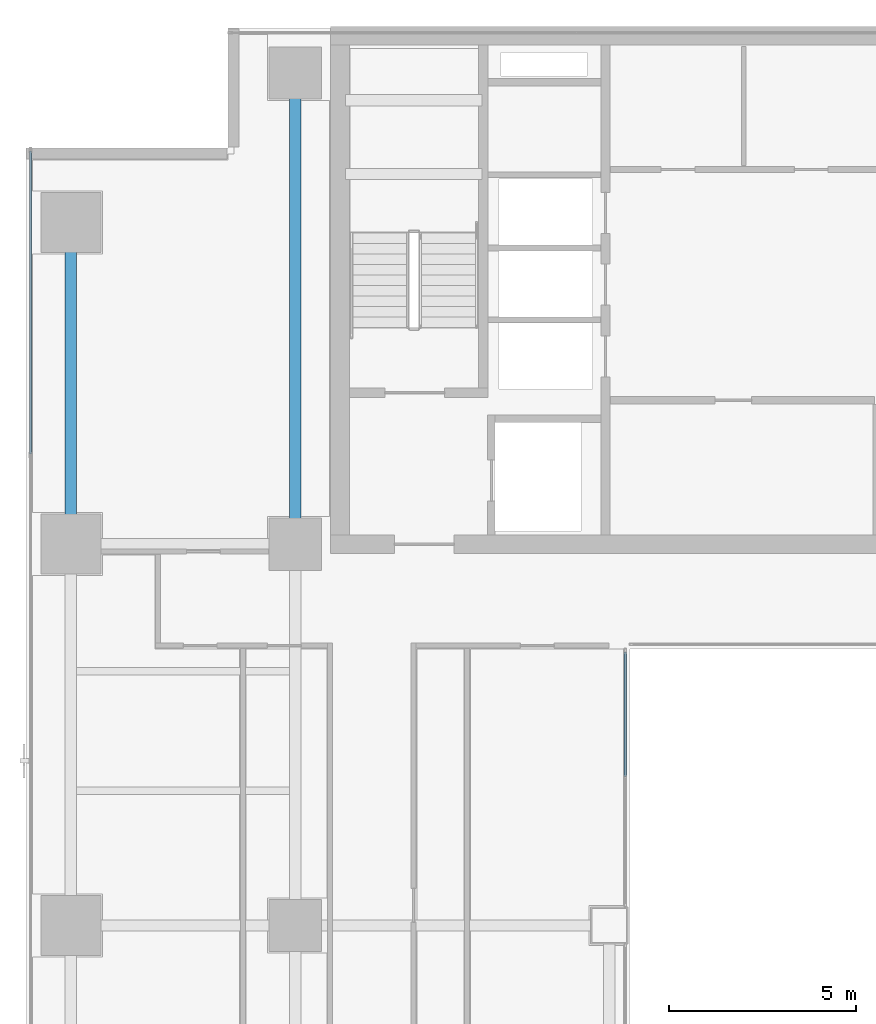
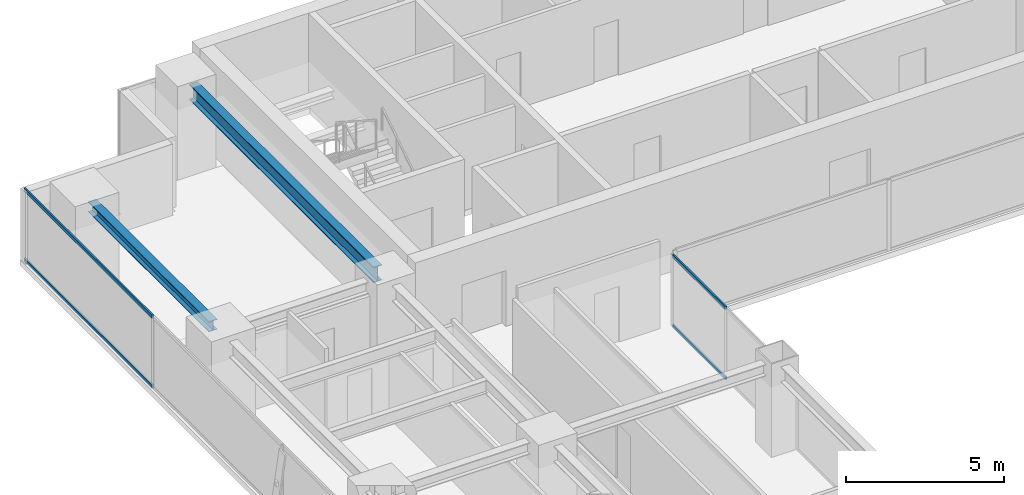
# One storey, part 9 of 29: 4 members, 2 beams, 2 elements without a shape of their own.
"""IFC4 building model written with IfcOpenShell, lengths in metres."""

from ifc_helpers import new_model, si_unit, direction, frame, origin, origin_2d, place, context, subcontext, project, spatial, hollow_rectangle, i_section, extrude, source, transform, mapped, material, layer, layer_set, material_profile, profile_set, type_object, element, aggregate, save


model = new_model("IFC4")

# Units and contexts
model_context = context("Model", 3, precision=1e-05, world=origin(), true_north=direction((0.0, 1.0)))
body_context = subcontext(model_context, "Body", "Model", "MODEL_VIEW")
ifc_project = project(units=[si_unit("LENGTHUNIT", "METRE"), si_unit("AREAUNIT", "SQUARE_METRE"), si_unit("VOLUMEUNIT", "CUBIC_METRE"), si_unit("PLANEANGLEUNIT", "RADIAN"), si_unit("MASSUNIT", "GRAM", prefix="KILO")], contexts=[model_context])

# Site, building, storey
site_placement = place(None, origin())
site = spatial("IfcSite", under=ifc_project, at=site_placement, CompositionType="ELEMENT")
building_placement = place(site_placement, origin())
building = spatial("IfcBuilding", under=site, at=building_placement, Name="Sumidabori Civic Tower", CompositionType="ELEMENT")
storey_placement = place(building_placement, frame((0.0, 0.0, 203.60009765625)))
storey = spatial("IfcBuildingStorey", under=building, at=storey_placement, Name="L52", CompositionType="ELEMENT", Elevation=203.60009765625)

# Beams
ifc_material_1 = material(Name="Steel SN490", Category="steel")
ifc_material_profile_1 = material_profile(ifc_material_1, i_section(OverallWidth=0.300048828125, OverallDepth=0.39990234375, WebThickness=0.013427734375, FlangeThickness=0.02392578125, at=origin_2d()), Name="HE 400 B")
ifc_profile_set_1 = profile_set([ifc_material_profile_1], Name="Steel SN490")
beam_type_1 = type_object("IfcBeamType", Name="BM-GIRD-400", PredefinedType="BEAM", material=ifc_profile_set_1)
shared_shape_1 = source(origin(), body_context, "Body", "SweptSolid", [
    extrude(i_section(OverallWidth=0.300048828125, OverallDepth=0.39990234375, WebThickness=0.013427734375, FlangeThickness=0.02392578125, at=origin_2d()), origin(), (0.0, 0.0, 1.0), 7.64013671875),
])
beam_1_placement = place(storey_placement, frame((-22.800048828125, 10.679931640625, 3.179931640625), z_axis=(0.0, 1.0, 0.0), x_axis=(-1.0, 0.0, 0.0)))
element("IfcBeam", 1, at=beam_1_placement, inside=storey, type_object=beam_type_1, Name="Primary Girder L52 GY-13", PredefinedType="BEAM", context=body_context, shape_type="MappedRepresentation", body=[
    mapped(shared_shape_1, transform((0.0, 0.0, 0.0), x_axis=(1.0, 0.0, 0.0), y_axis=(0.0, 1.0, 0.0), z_axis=(0.0, 0.0, 1.0), scale=1.0)),
])
ifc_material_profile_2 = material_profile(ifc_material_1, i_section(OverallWidth=0.300048828125, OverallDepth=0.60009765625, WebThickness=0.015380859375, FlangeThickness=0.030029296875, at=origin_2d()), Name="HE 600 B")
ifc_profile_set_2 = profile_set([ifc_material_profile_2], Name="Steel SN490")
beam_type_2 = type_object("IfcBeamType", Name="BM-GIRD-600", PredefinedType="BEAM", material=ifc_profile_set_2)
shared_shape_2 = source(origin(), body_context, "Body", "SweptSolid", [
    extrude(i_section(OverallWidth=0.300048828125, OverallDepth=0.60009765625, WebThickness=0.015380859375, FlangeThickness=0.030029296875, at=origin_2d()), origin(), (0.0, 0.0, 1.0), 11.64013671875),
])
beam_2_placement = place(storey_placement, frame((-16.800048828125, 10.679931640625, 3.079833984375), z_axis=(0.0, 1.0, 0.0), x_axis=(-1.0, 0.0, 0.0)))
element("IfcBeam", 2, at=beam_2_placement, inside=storey, type_object=beam_type_2, Name="Primary Girder L52 GY-16", PredefinedType="BEAM", context=body_context, shape_type="MappedRepresentation", body=[
    mapped(shared_shape_2, transform((0.0, 0.0, 0.0), x_axis=(1.0, 0.0, 0.0), y_axis=(0.0, 1.0, 0.0), z_axis=(0.0, 0.0, 1.0), scale=1.0)),
])

# Curtain wall, members
ifc_material_2 = material(Name="Anodised Bronze Aluminium AW-6063-T6", Category="aluminium")
ifc_layer_1 = layer(ifc_material_2, 0.179931640625, Name="Anodised Bronze Aluminium AW-6063-T6")
ifc_layer_set_1 = layer_set([ifc_layer_1], Name="Anodised Bronze Aluminium AW-6063-T6")
curtain_wall_type_1 = type_object("IfcCurtainWallType", Name="CW-SYS-4", PredefinedType="NOTDEFINED", material=ifc_layer_set_1)
curtain_wall_1_placement = place(storey_placement, origin())
curtain_wall_1 = element("IfcCurtainWall", 3, at=curtain_wall_1_placement, inside=storey, type_object=curtain_wall_type_1, Name="Curtain Wall CW:L52:R04", PredefinedType="NOTDEFINED")
ifc_material_profile_3 = material_profile(ifc_material_2, hollow_rectangle(XDim=0.06005859375, YDim=0.1298828125, WallThickness=0.0048828125, at=origin_2d()), Name="ALU TRANSOM 130x60")
ifc_profile_set_3 = profile_set([ifc_material_profile_3], Name="Anodised Bronze Aluminium AW-6063-T6")
member_type = type_object("IfcMemberType", Name="CW-TRN-130", PredefinedType="USERDEFINED", material=ifc_profile_set_3)
shared_shape_3 = source(origin(), body_context, "Body", "SweptSolid", [
    extrude(hollow_rectangle(XDim=0.06005859375, YDim=0.1298828125, WallThickness=0.0048828125, at=origin_2d()), origin(), (0.0, 0.0, 1.0), 3.330078125),
])
member_1_placement = place(storey_placement, frame((-7.969970703125, 3.97998046875, 0.02978515625), z_axis=(0.0, 1.0, 0.0), x_axis=(-1.0, 0.0, 0.0)))
member_1 = element("IfcMember", 4, at=member_1_placement, type_object=member_type, Name="CW-4 transom 2.1", ObjectType="TRANSOM", PredefinedType="USERDEFINED", context=body_context, shape_type="MappedRepresentation", body=[
    mapped(shared_shape_3, transform((0.0, 0.0, 0.0), x_axis=(1.0, 0.0, 0.0), y_axis=(0.0, 1.0, 0.0), z_axis=(0.0, 0.0, 1.0), scale=1.0)),
])
member_2_placement = place(storey_placement, frame((-7.969970703125, 3.97998046875, 2.72998046875), z_axis=(0.0, 1.0, 0.0), x_axis=(-1.0, 0.0, 0.0)))
member_2 = element("IfcMember", 5, at=member_2_placement, type_object=member_type, Name="CW-4 transom 2.2", ObjectType="TRANSOM", PredefinedType="USERDEFINED", context=body_context, shape_type="MappedRepresentation", body=[
    mapped(shared_shape_3, transform((0.0, 0.0, 0.0), x_axis=(1.0, 0.0, 0.0), y_axis=(0.0, 1.0, 0.0), z_axis=(0.0, 0.0, 1.0), scale=1.0)),
])
aggregate(curtain_wall_1, [member_1, member_2])

ifc_layer_2 = layer(ifc_material_2, 0.179931640625, Name="Anodised Bronze Aluminium AW-6063-T6")
ifc_layer_set_2 = layer_set([ifc_layer_2], Name="Anodised Bronze Aluminium AW-6063-T6")
curtain_wall_type_2 = type_object("IfcCurtainWallType", Name="CW-SYS-5", PredefinedType="NOTDEFINED", material=ifc_layer_set_2)
curtain_wall_2_placement = place(storey_placement, origin())
curtain_wall_2 = element("IfcCurtainWall", 6, at=curtain_wall_2_placement, inside=storey, type_object=curtain_wall_type_2, Name="Curtain Wall CW:L52:R16", PredefinedType="NOTDEFINED")
shared_shape_4 = source(origin(), body_context, "Body", "SweptSolid", [
    extrude(hollow_rectangle(XDim=0.06005859375, YDim=0.1298828125, WallThickness=0.0048828125, at=origin_2d()), origin(), (0.0, 0.0, 1.0), 8.094970703125),
])
member_3_placement = place(storey_placement, frame((-23.8798828125, 20.7099609375, 0.02978515625), z_axis=(0.0, -1.0, 0.0), x_axis=(1.0, 0.0, 0.0)))
member_3 = element("IfcMember", 7, at=member_3_placement, type_object=member_type, Name="CW-5 transom 1.1", ObjectType="TRANSOM", PredefinedType="USERDEFINED", context=body_context, shape_type="MappedRepresentation", body=[
    mapped(shared_shape_4, transform((0.0, 0.0, 0.0), x_axis=(1.0, 0.0, 0.0), y_axis=(0.0, 1.0, 0.0), z_axis=(0.0, 0.0, 1.0), scale=1.0)),
])
member_4_placement = place(storey_placement, frame((-23.8798828125, 20.7099609375, 2.72998046875), z_axis=(0.0, -1.0, 0.0), x_axis=(1.0, 0.0, 0.0)))
member_4 = element("IfcMember", 8, at=member_4_placement, type_object=member_type, Name="CW-5 transom 1.2", ObjectType="TRANSOM", PredefinedType="USERDEFINED", context=body_context, shape_type="MappedRepresentation", body=[
    mapped(shared_shape_4, transform((0.0, 0.0, 0.0), x_axis=(1.0, 0.0, 0.0), y_axis=(0.0, 1.0, 0.0), z_axis=(0.0, 0.0, 1.0), scale=1.0)),
])
aggregate(curtain_wall_2, [member_3, member_4])

save(model, "model.ifc")
